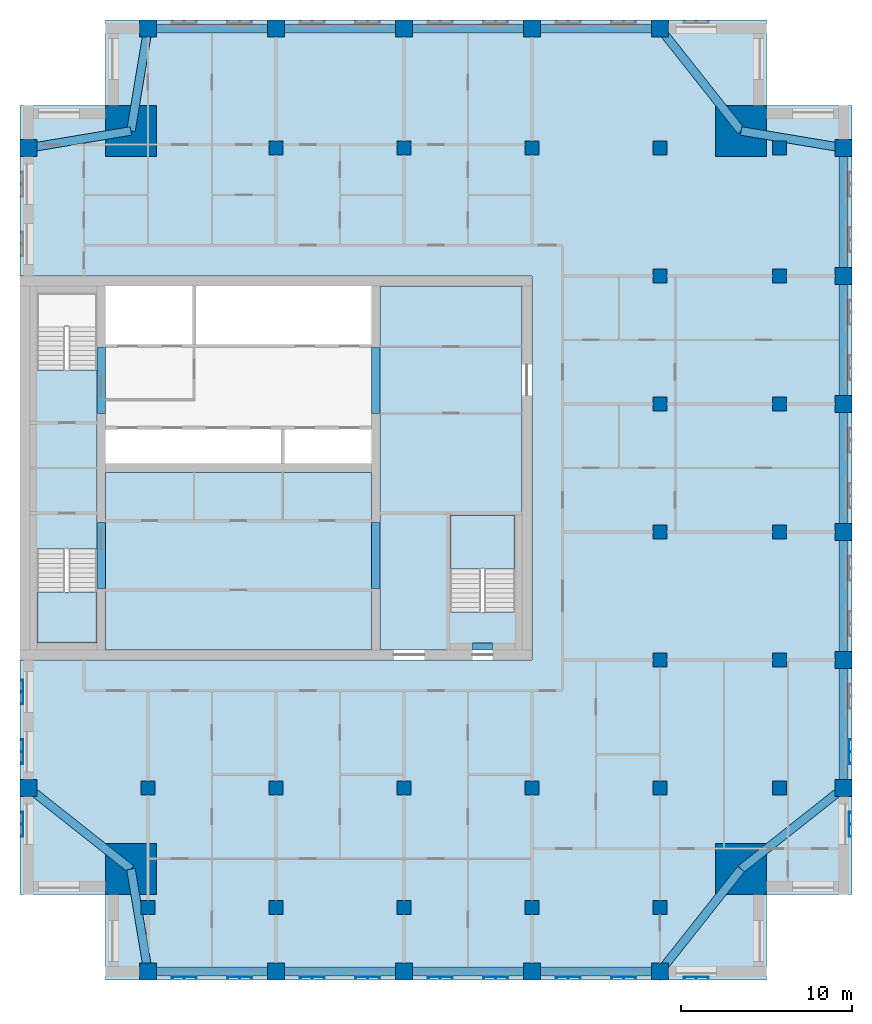
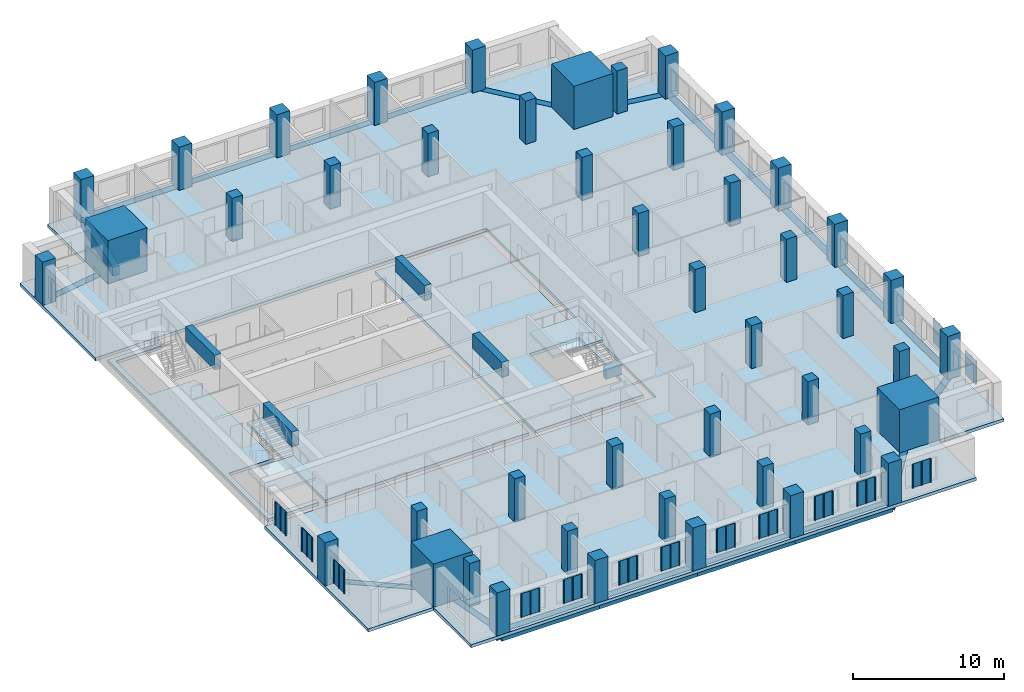
# One storey, part 1 of 11: 46 columns, 26 beams, 14 plates, 6 slabs, 2 elements without a shape of their own.
"""IFC4 building model written with IfcOpenShell, lengths in metres."""

from ifc_helpers import new_model, si_unit, direction, frame, origin, origin_2d, place, context, subcontext, project, spatial, polyline, rectangle, outline, extrude, material, layer, layer_set, material_profile, profile_set, type_object, element, aggregate, save


model = new_model("IFC4")

# Units and contexts
model_context = context("Model", 3, precision=1e-05, world=origin(), true_north=direction((0.0, 1.0)))
body_context = subcontext(model_context, "Body", "Model", "MODEL_VIEW")
ifc_project = project(units=[si_unit("LENGTHUNIT", "METRE"), si_unit("AREAUNIT", "SQUARE_METRE"), si_unit("VOLUMEUNIT", "CUBIC_METRE"), si_unit("PLANEANGLEUNIT", "RADIAN"), si_unit("MASSUNIT", "GRAM", prefix="KILO")], contexts=[model_context])

# Site, building, storey
site_placement = place(None, origin())
site = spatial("IfcSite", under=ifc_project, at=site_placement, CompositionType="ELEMENT")
building_placement = place(site_placement, origin())
building = spatial("IfcBuilding", under=site, at=building_placement, Name="Tamorin Gate", CompositionType="ELEMENT")
storey_placement = place(building_placement, frame((0.0, 0.0, 254.699951171875)))
storey = spatial("IfcBuildingStorey", under=building, at=storey_placement, Name="L64", CompositionType="ELEMENT", Elevation=254.699951171875)

# Columns
ifc_material_1 = material(Name="Concrete C50/60", Category="concrete")
ifc_material_profile_1 = material_profile(ifc_material_1, rectangle(XDim=1.0, YDim=1.0, at=origin_2d()), Name="RC 1000x1000")
ifc_profile_set_1 = profile_set([ifc_material_profile_1], Name="Concrete C50/60")
column_type_1 = type_object("IfcColumnType", Name="RC column 1000x1000 C50/60", PredefinedType="COLUMN", material=ifc_profile_set_1)
for number, where, z_axis, x_axis, name in (
    (1, (37.5, 41.75, 0.0), (0.0, 0.0, 1.0), (1.0, 0.0, 0.0), "Ring column L64"),
    (2, (45.0, 41.75, 0.0), (0.0, 0.0, 1.0), (1.0, 0.0, 0.0), "Ring column L64"),
    (3, (52.5, 41.75, 0.0), (0.0, 0.0, 1.0), (1.0, 0.0, 0.0), "Ring column L64"),
    (4, (60.0, 41.75, 0.0), (0.0, 0.0, 1.0), (1.0, 0.0, 0.0), "Ring column L64"),
    (5, (67.5, 41.75, 0.0), (0.0, 0.0, 1.0), (1.0, 0.0, 0.0), "Ring column L64"),
    (6, (78.25, 52.5, 0.0), (0.0, 0.0, 1.0), (1.0, 0.0, 0.0), "Ring column L64"),
    (7, (78.25, 60.0, 0.0), (0.0, 0.0, 1.0), (1.0, 0.0, 0.0), "Ring column L64"),
    (8, (78.25, 67.5, 0.0), (0.0, 0.0, 1.0), (1.0, 0.0, 0.0), "Ring column L64"),
    (9, (78.25, 75.0, 0.0), (0.0, 0.0, 1.0), (1.0, 0.0, 0.0), "Ring column L64"),
    (10, (78.25, 82.5, 0.0), (0.0, 0.0, 1.0), (1.0, 0.0, 0.0), "Ring column L64"),
    (11, (78.25, 90.0, 0.0), (0.0, 0.0, 1.0), (1.0, 0.0, 0.0), "Ring column L64"),
    (12, (30.5, 52.5, 0.0), (0.0, 0.0, 1.0), (1.0, 0.0, 0.0), "Ring column L64"),
    (13, (30.5, 90.0, 0.0), (0.0, 0.0, 1.0), (1.0, 0.0, 0.0), "Ring column L64"),
    (14, (37.5, 97.0, 0.0), (0.0, 0.0, 1.0), (1.0, 0.0, 0.0), "Ring column L64"),
    (15, (45.0, 97.0, 0.0), (0.0, 0.0, 1.0), (1.0, 0.0, 0.0), "Ring column L64"),
    (16, (52.5, 97.0, 0.0), (0.0, 0.0, 1.0), (1.0, 0.0, 0.0), "Ring column L64"),
    (17, (60.0, 97.0, 0.0), (0.0, 0.0, 1.0), (1.0, 0.0, 0.0), "Ring column L64"),
    (18, (67.5, 97.0, 0.0), (0.0, 0.0, 1.0), (1.0, 0.0, 0.0), "Ring column L64"),
):
    element("IfcColumn", number, at=place(storey_placement, frame(where, z_axis=z_axis, x_axis=x_axis)), inside=storey, type_object=column_type_1, Name=name, PredefinedType="COLUMN", context=body_context, shape_type="SweptSolid", body=[
        extrude(rectangle(XDim=1.0, YDim=1.0, at=origin_2d()), origin(), (0.0, 0.0, 1.0), 3.5),
    ])
ifc_material_profile_2 = material_profile(ifc_material_1, rectangle(XDim=3.0, YDim=3.0, at=origin_2d()), Name="RC 3000x3000")
ifc_profile_set_2 = profile_set([ifc_material_profile_2], Name="Concrete C50/60")
column_type_2 = type_object("IfcColumnType", Name="RC column 3000x3000 C50/60", PredefinedType="COLUMN", material=ifc_profile_set_2)
for number, where, z_axis, x_axis, name in (
    (19, (36.5, 47.75, 0.0), (0.0, 0.0, 1.0), (1.0, 0.0, 0.0), "Mega column SW L64"),
    (20, (72.25, 47.75, 0.0), (0.0, 0.0, 1.0), (1.0, 0.0, 0.0), "Mega column SE L64"),
    (21, (36.5, 91.0, 0.0), (0.0, 0.0, 1.0), (1.0, 0.0, 0.0), "Mega column NW L64"),
    (22, (72.25, 91.0, 0.0), (0.0, 0.0, 1.0), (1.0, 0.0, 0.0), "Mega column NE L64"),
):
    element("IfcColumn", number, at=place(storey_placement, frame(where, z_axis=z_axis, x_axis=x_axis)), inside=storey, type_object=column_type_2, Name=name, PredefinedType="COLUMN", context=body_context, shape_type="SweptSolid", body=[
        extrude(rectangle(XDim=3.0, YDim=3.0, at=origin_2d()), origin(), (0.0, 0.0, 1.0), 3.5),
    ])
ifc_material_profile_3 = material_profile(ifc_material_1, rectangle(XDim=0.800048828125, YDim=0.800048828125, at=origin_2d()), Name="RC 800x800")
ifc_profile_set_3 = profile_set([ifc_material_profile_3], Name="Concrete C50/60")
column_type_3 = type_object("IfcColumnType", Name="RC column 800x800 C50/60", PredefinedType="COLUMN", material=ifc_profile_set_3)
for number, where, z_axis, x_axis, name in (
    (23, (37.5, 45.5, 0.0), (0.0, 0.0, 1.0), (1.0, 0.0, 0.0), "Interior column L64"),
    (24, (37.5, 52.5, 0.0), (0.0, 0.0, 1.0), (1.0, 0.0, 0.0), "Interior column L64"),
    (25, (45.0, 45.5, 0.0), (0.0, 0.0, 1.0), (1.0, 0.0, 0.0), "Interior column L64"),
    (26, (45.0, 52.5, 0.0), (0.0, 0.0, 1.0), (1.0, 0.0, 0.0), "Interior column L64"),
    (27, (45.0, 90.0, 0.0), (0.0, 0.0, 1.0), (1.0, 0.0, 0.0), "Interior column L64"),
    (28, (52.5, 45.5, 0.0), (0.0, 0.0, 1.0), (1.0, 0.0, 0.0), "Interior column L64"),
    (29, (52.5, 52.5, 0.0), (0.0, 0.0, 1.0), (1.0, 0.0, 0.0), "Interior column L64"),
    (30, (52.5, 90.0, 0.0), (0.0, 0.0, 1.0), (1.0, 0.0, 0.0), "Interior column L64"),
    (31, (60.0, 45.5, 0.0), (0.0, 0.0, 1.0), (1.0, 0.0, 0.0), "Interior column L64"),
    (32, (60.0, 52.5, 0.0), (0.0, 0.0, 1.0), (1.0, 0.0, 0.0), "Interior column L64"),
    (33, (60.0, 90.0, 0.0), (0.0, 0.0, 1.0), (1.0, 0.0, 0.0), "Interior column L64"),
    (34, (67.5, 45.5, 0.0), (0.0, 0.0, 1.0), (1.0, 0.0, 0.0), "Interior column L64"),
    (35, (67.5, 52.5, 0.0), (0.0, 0.0, 1.0), (1.0, 0.0, 0.0), "Interior column L64"),
    (36, (67.5, 60.0, 0.0), (0.0, 0.0, 1.0), (1.0, 0.0, 0.0), "Interior column L64"),
    (37, (67.5, 67.5, 0.0), (0.0, 0.0, 1.0), (1.0, 0.0, 0.0), "Interior column L64"),
    (38, (67.5, 75.0, 0.0), (0.0, 0.0, 1.0), (1.0, 0.0, 0.0), "Interior column L64"),
    (39, (67.5, 82.5, 0.0), (0.0, 0.0, 1.0), (1.0, 0.0, 0.0), "Interior column L64"),
    (40, (67.5, 90.0, 0.0), (0.0, 0.0, 1.0), (1.0, 0.0, 0.0), "Interior column L64"),
    (41, (74.5, 52.5, 0.0), (0.0, 0.0, 1.0), (1.0, 0.0, 0.0), "Interior column L64"),
    (42, (74.5, 60.0, 0.0), (0.0, 0.0, 1.0), (1.0, 0.0, 0.0), "Interior column L64"),
    (43, (74.5, 67.5, 0.0), (0.0, 0.0, 1.0), (1.0, 0.0, 0.0), "Interior column L64"),
    (44, (74.5, 75.0, 0.0), (0.0, 0.0, 1.0), (1.0, 0.0, 0.0), "Interior column L64"),
    (45, (74.5, 82.5, 0.0), (0.0, 0.0, 1.0), (1.0, 0.0, 0.0), "Interior column L64"),
    (46, (74.5, 90.0, 0.0), (0.0, 0.0, 1.0), (1.0, 0.0, 0.0), "Interior column L64"),
):
    element("IfcColumn", number, at=place(storey_placement, frame(where, z_axis=z_axis, x_axis=x_axis)), inside=storey, type_object=column_type_3, Name=name, PredefinedType="COLUMN", context=body_context, shape_type="SweptSolid", body=[
        extrude(rectangle(XDim=0.800048828125, YDim=0.800048828125, at=origin_2d()), origin(), (0.0, 0.0, 1.0), 3.5),
    ])

# Beams
ifc_material_profile_4 = material_profile(ifc_material_1, rectangle(XDim=0.5, YDim=1.199951171875, at=origin_2d()), Name="RC 500x1200")
ifc_profile_set_4 = profile_set([ifc_material_profile_4], Name="Concrete C50/60")
beam_type_1 = type_object("IfcBeamType", Name="RC coupling beam 500x1200 C50/60", PredefinedType="BEAM", material=ifc_profile_set_4)
for number, where, z_axis, x_axis, name in (
    (47, (34.75, 64.199951171875, 2.900146484375), (0.0, 1.0, 0.0), (-1.0, 0.0, 0.0), "Coupling beam L64"),
    (48, (34.75, 74.449951171875, 2.900146484375), (0.0, 1.0, 0.0), (-1.0, 0.0, 0.0), "Coupling beam L64"),
    (49, (50.85009765625, 64.199951171875, 2.900146484375), (0.0, 1.0, 0.0), (-1.0, 0.0, 0.0), "Coupling beam L64"),
    (50, (50.85009765625, 74.449951171875, 2.900146484375), (0.0, 1.0, 0.0), (-1.0, 0.0, 0.0), "Coupling beam L64"),
):
    element("IfcBeam", number, at=place(storey_placement, frame(where, z_axis=z_axis, x_axis=x_axis)), inside=storey, type_object=beam_type_1, Name=name, PredefinedType="BEAM", context=body_context, shape_type="SweptSolid", body=[
        extrude(rectangle(XDim=0.5, YDim=1.199951171875, at=origin_2d()), origin(), (0.0, 0.0, 1.0), 3.85009765625),
    ])
ifc_material_profile_5 = material_profile(ifc_material_1, rectangle(XDim=0.5, YDim=0.75, at=origin_2d()), Name="RC 500x750")
ifc_profile_set_5 = profile_set([ifc_material_profile_5], Name="Concrete C50/60")
beam_type_2 = type_object("IfcBeamType", Name="RC spandrel 500x750 C50/60", PredefinedType="BEAM", material=ifc_profile_set_5)
for number, where, z_axis, x_axis, name in (
    (51, (37.5, 41.75, -0.375), (1.0, 0.0, 0.0), (0.0, 1.0, 0.0), "Spandrel beam L64"),
    (52, (45.0, 41.75, -0.375), (1.0, 0.0, 0.0), (0.0, 1.0, 0.0), "Spandrel beam L64"),
    (53, (52.5, 41.75, -0.375), (1.0, 0.0, 0.0), (0.0, 1.0, 0.0), "Spandrel beam L64"),
    (54, (60.0, 41.75, -0.375), (1.0, 0.0, 0.0), (0.0, 1.0, 0.0), "Spandrel beam L64"),
    (55, (78.25, 52.5, -0.375), (0.0, 1.0, 0.0), (-1.0, 0.0, 0.0), "Spandrel beam L64"),
    (56, (78.25, 60.0, -0.375), (0.0, 1.0, 0.0), (-1.0, 0.0, 0.0), "Spandrel beam L64"),
    (57, (78.25, 67.5, -0.375), (0.0, 1.0, 0.0), (-1.0, 0.0, 0.0), "Spandrel beam L64"),
    (58, (78.25, 75.0, -0.375), (0.0, 1.0, 0.0), (-1.0, 0.0, 0.0), "Spandrel beam L64"),
    (59, (78.25, 82.5, -0.375), (0.0, 1.0, 0.0), (-1.0, 0.0, 0.0), "Spandrel beam L64"),
    (60, (67.5, 97.0, -0.375), (-1.0, 0.0, 0.0), (0.0, -1.0, 0.0), "Spandrel beam L64"),
    (61, (60.0, 97.0, -0.375), (-1.0, 0.0, 0.0), (0.0, -1.0, 0.0), "Spandrel beam L64"),
    (62, (52.5, 97.0, -0.375), (-1.0, 0.0, 0.0), (0.0, -1.0, 0.0), "Spandrel beam L64"),
    (63, (45.0, 97.0, -0.375), (-1.0, 0.0, 0.0), (0.0, -1.0, 0.0), "Spandrel beam L64"),
):
    element("IfcBeam", number, at=place(storey_placement, frame(where, z_axis=z_axis, x_axis=x_axis)), inside=storey, type_object=beam_type_2, Name=name, PredefinedType="BEAM", context=body_context, shape_type="SweptSolid", body=[
        extrude(rectangle(XDim=0.5, YDim=0.75, at=origin_2d()), origin(), (0.0, 0.0, 1.0), 7.5),
    ])
beam_1_placement = place(storey_placement, frame((36.5, 47.75, -0.375), z_axis=(0.164398987305, -0.986393923832, 0.0), x_axis=(0.986393923832, 0.164398987305, 0.0)))
element("IfcBeam", 64, at=beam_1_placement, inside=storey, type_object=beam_type_2, Name="Corner tie beam L64", PredefinedType="BEAM", context=body_context, shape_type="SweptSolid", body=[
    extrude(rectangle(XDim=0.5, YDim=0.75, at=origin_2d()), origin(), (0.0, 0.0, 1.0), 6.082763671875),
])
for number, where, z_axis, x_axis, name in (
    (65, (36.5, 47.75, -0.375), (-0.784045824462, 0.620702944366, 0.0), (-0.620702944366, -0.784045824462, 0.0), "Corner tie beam L64"),
    (66, (72.25, 47.75, -0.375), (-0.620702944366, -0.784045824462, 0.0), (0.784045824462, -0.620702944366, 0.0), "Corner tie beam L64"),
    (67, (72.25, 47.75, -0.375), (0.784045824462, 0.620702944366, 0.0), (-0.620702944366, 0.784045824462, 0.0), "Corner tie beam L64"),
):
    element("IfcBeam", number, at=place(storey_placement, frame(where, z_axis=z_axis, x_axis=x_axis)), inside=storey, type_object=beam_type_2, Name=name, PredefinedType="BEAM", context=body_context, shape_type="SweptSolid", body=[
        extrude(rectangle(XDim=0.5, YDim=0.75, at=origin_2d()), origin(), (0.0, 0.0, 1.0), 7.652587890625),
    ])
for number, where, z_axis, x_axis, name in (
    (68, (36.5, 91.0, -0.375), (-0.986393923832, -0.164398987305, 0.0), (0.164398987305, -0.986393923832, 0.0), "Corner tie beam L64"),
    (69, (36.5, 91.0, -0.375), (0.164398987305, 0.986393923832, 0.0), (-0.986393923832, 0.164398987305, 0.0), "Corner tie beam L64"),
    (70, (72.25, 91.0, -0.375), (0.986393923832, -0.164398987305, 0.0), (0.164398987305, 0.986393923832, 0.0), "Corner tie beam L64"),
):
    element("IfcBeam", number, at=place(storey_placement, frame(where, z_axis=z_axis, x_axis=x_axis)), inside=storey, type_object=beam_type_2, Name=name, PredefinedType="BEAM", context=body_context, shape_type="SweptSolid", body=[
        extrude(rectangle(XDim=0.5, YDim=0.75, at=origin_2d()), origin(), (0.0, 0.0, 1.0), 6.082763671875),
    ])
beam_2_placement = place(storey_placement, frame((72.25, 91.0, -0.375), z_axis=(-0.620702944366, 0.784045824462, 0.0), x_axis=(-0.784045824462, -0.620702944366, 0.0)))
element("IfcBeam", 71, at=beam_2_placement, inside=storey, type_object=beam_type_2, Name="Corner tie beam L64", PredefinedType="BEAM", context=body_context, shape_type="SweptSolid", body=[
    extrude(rectangle(XDim=0.5, YDim=0.75, at=origin_2d()), origin(), (0.0, 0.0, 1.0), 7.652587890625),
])
ifc_material_profile_6 = material_profile(ifc_material_1, rectangle(XDim=0.39990234375, YDim=0.85009765625, at=origin_2d()))
ifc_profile_set_6 = profile_set([ifc_material_profile_6], Name="Concrete C50/60")
beam_type_3 = type_object("IfcBeamType", Name="Stair lintel 400x850 C50/60", PredefinedType="BEAM", material=ifc_profile_set_6)
beam_3_placement = place(storey_placement, frame((56.5, 60.800048828125, 2.6650390625), z_axis=(1.0, 0.0, 0.0), x_axis=(0.0, 1.0, 0.0)))
element("IfcBeam", 72, at=beam_3_placement, inside=storey, type_object=beam_type_3, Name="Stair lintel", PredefinedType="BEAM", context=body_context, shape_type="SweptSolid", body=[
    extrude(rectangle(XDim=0.39990234375, YDim=0.85009765625, at=origin_2d()), origin(), (0.0, 0.0, 1.0), 1.199951171875),
])

# Slabs
ifc_material_2 = material(Name="Concrete C40/50", Category="concrete")
ifc_layer_1 = layer(ifc_material_2, 0.25)
ifc_layer_set_1 = layer_set([ifc_layer_1], Name="Core floor slab 250 C40/50")
slab_type_1 = type_object("IfcSlabType", Name="Core floor slab 250 C40/50", PredefinedType="FLOOR", material=ifc_layer_set_1)
slab_1_placement = place(storey_placement, frame((0.0, 0.0, -0.25)))
element("IfcSlab", 73, at=slab_1_placement, inside=storey, type_object=slab_type_1, Name="Core floor L64", PredefinedType="FLOOR", context=body_context, shape_type="SweptSolid", body=[
    extrude(outline(polyline([(51.10009765625, 81.89990234375), (59.39990234375, 81.89990234375), (59.39990234375, 60.60009765625), (51.10009765625, 60.60009765625), (51.10009765625, 81.89990234375)]), holes=[polyline([(55.199951171875, 62.800048828125), (59.0, 62.800048828125), (59.0, 68.5), (55.199951171875, 68.5), (55.199951171875, 62.800048828125)])]), origin(), (0.0, 0.0, 1.0), 0.25),
])
slab_2_placement = place(storey_placement, frame((0.0, 0.0, -0.25)))
element("IfcSlab", 74, at=slab_2_placement, inside=storey, type_object=slab_type_1, Name="Core floor L64", PredefinedType="FLOOR", context=body_context, shape_type="SweptSolid", body=[
    extrude(outline(polyline([(50.60009765625, 71.0), (50.60009765625, 60.60009765625), (35.0, 60.60009765625), (35.0, 71.0), (50.60009765625, 71.0)])), origin(), (0.0, 0.0, 1.0), 0.25),
])
slab_3_placement = place(storey_placement, frame((0.0, 0.0, -0.25)))
element("IfcSlab", 75, at=slab_3_placement, inside=storey, type_object=slab_type_1, Name="Core floor L64", PredefinedType="FLOOR", context=body_context, shape_type="SweptSolid", body=[
    extrude(outline(polyline([(34.5, 60.60009765625), (30.60009765625, 60.60009765625), (30.60009765625, 81.89990234375), (34.5, 81.89990234375), (34.5, 81.5), (31.0, 81.5), (31.0, 77.0), (34.5, 77.0), (34.5, 66.5), (31.0, 66.5), (31.0, 61.0), (34.5, 61.0), (34.5, 60.60009765625)])), origin(), (0.0, 0.0, 1.0), 0.25),
])

# Stair, slab
stair_type = type_object("IfcStairType", Name="Exit stair", PredefinedType="HALF_TURN_STAIR", material=ifc_material_2)
stair_1_placement = place(storey_placement, origin())
stair_1 = element("IfcStair", 76, at=stair_1_placement, inside=storey, type_object=stair_type, Name="L64 stair ST1", PredefinedType="HALF_TURN_STAIR")
ifc_layer_2 = layer(ifc_material_2, 0.199951171875)
ifc_layer_set_2 = layer_set([ifc_layer_2], Name="Exit stair landing 200")
slab_type_2 = type_object("IfcSlabType", Name="Exit stair landing 200", PredefinedType="LANDING", material=ifc_layer_set_2)
slab_4_placement = place(storey_placement, frame((0.0, 0.0, 1.550048828125)))
slab_4 = element("IfcSlab", 77, at=slab_4_placement, type_object=slab_type_2, Name="ST1 landing 1", PredefinedType="LANDING", context=body_context, shape_type="SweptSolid", body=[
    extrude(outline(polyline([(31.0, 63.97998046875), (31.0, 61.0), (34.5, 61.0), (34.5, 63.97998046875), (31.0, 63.97998046875)])), origin(), (0.0, 0.0, 1.0), 0.199951171875),
])
aggregate(stair_1, [slab_4])

stair_2_placement = place(storey_placement, origin())
stair_2 = element("IfcStair", 78, at=stair_2_placement, inside=storey, type_object=stair_type, Name="L64 stair ST3", PredefinedType="HALF_TURN_STAIR")
slab_5_placement = place(storey_placement, frame((0.0, 0.0, 1.550048828125)))
slab_5 = element("IfcSlab", 79, at=slab_5_placement, type_object=slab_type_2, Name="ST3 landing 1", PredefinedType="LANDING", context=body_context, shape_type="SweptSolid", body=[
    extrude(outline(polyline([(59.0, 65.320068359375), (59.0, 68.5), (55.199951171875, 68.5), (55.199951171875, 65.320068359375), (59.0, 65.320068359375)])), origin(), (0.0, 0.0, 1.0), 0.199951171875),
])
aggregate(stair_2, [slab_5])

# Slab
ifc_layer_3 = layer(ifc_material_2, 0.25)
ifc_layer_set_3 = layer_set([ifc_layer_3], Name="Floor slab 250 C40/50")
slab_type_3 = type_object("IfcSlabType", Name="Floor slab 250 C40/50", PredefinedType="FLOOR", material=ifc_layer_set_3)
slab_6_placement = place(storey_placement, frame((0.0, 0.0, -0.25)))
element("IfcSlab", 80, at=slab_6_placement, inside=storey, type_object=slab_type_3, Name="Floor L64", PredefinedType="FLOOR", context=body_context, shape_type="SweptSolid", body=[
    extrude(outline(polyline([(30.0, 92.5), (35.0, 92.5), (35.0, 97.5), (73.75, 97.5), (73.75, 92.5), (78.75, 92.5), (78.75, 46.25), (73.75, 46.25), (73.75, 41.25), (35.0, 41.25), (35.0, 46.25), (30.0, 46.25), (30.0, 60.0), (60.0, 60.0), (60.0, 82.5), (30.0, 82.5), (30.0, 92.5)])), origin(), (0.0, 0.0, 1.0), 0.25),
])

# Plates
ifc_material_3 = material(Name="Perforated pale aluminium sheet", Category="aluminium")
ifc_layer_4 = layer(ifc_material_3, 0.0400390625)
ifc_layer_set_4 = layer_set([ifc_layer_4], Name="Pale metal solar screen 1440")
plate_type = type_object("IfcPlateType", Name="Pale metal solar screen 1440", PredefinedType="SHEET", material=ifc_layer_set_4)
plate_1_placement = place(storey_placement, frame((0.0, 0.0, 0.737548828125)))
element("IfcPlate", 81, at=plate_1_placement, inside=storey, type_object=plate_type, Name="Perforated solar screen", PredefinedType="SHEET", context=body_context, shape_type="SweptSolid", body=[
    extrude(outline(polyline([(38.905029296875, 41.409912109375), (38.905029296875, 41.449951171875), (38.965087890625, 41.449951171875), (39.594970703125, 41.449951171875), (39.655029296875, 41.449951171875), (40.284912109375, 41.449951171875), (40.344970703125, 41.449951171875), (40.344970703125, 41.449951171875), (40.344970703125, 41.409912109375), (40.344970703125, 41.409912109375), (40.344970703125, 41.35009765625), (40.284912109375, 41.35009765625), (40.284912109375, 41.409912109375), (39.655029296875, 41.409912109375), (39.655029296875, 41.35009765625), (39.594970703125, 41.35009765625), (39.594970703125, 41.409912109375), (38.965087890625, 41.409912109375), (38.965087890625, 41.35009765625), (38.905029296875, 41.35009765625), (38.905029296875, 41.409912109375)])), origin(), (0.0, 0.0, 1.0), 1.925048828125),
])
plate_2_placement = place(storey_placement, frame((0.0, 0.0, 0.737548828125)))
element("IfcPlate", 82, at=plate_2_placement, inside=storey, type_object=plate_type, Name="Perforated solar screen", PredefinedType="SHEET", context=body_context, shape_type="SweptSolid", body=[
    extrude(outline(polyline([(42.155029296875, 41.409912109375), (42.155029296875, 41.449951171875), (42.215087890625, 41.449951171875), (42.844970703125, 41.449951171875), (42.905029296875, 41.449951171875), (43.534912109375, 41.449951171875), (43.594970703125, 41.449951171875), (43.594970703125, 41.409912109375), (43.594970703125, 41.35009765625), (43.534912109375, 41.35009765625), (43.534912109375, 41.409912109375), (42.905029296875, 41.409912109375), (42.905029296875, 41.35009765625), (42.844970703125, 41.35009765625), (42.844970703125, 41.409912109375), (42.215087890625, 41.409912109375), (42.215087890625, 41.35009765625), (42.155029296875, 41.35009765625), (42.155029296875, 41.409912109375)])), origin(), (0.0, 0.0, 1.0), 1.925048828125),
])
plate_3_placement = place(storey_placement, frame((0.0, 0.0, 0.737548828125)))
element("IfcPlate", 83, at=plate_3_placement, inside=storey, type_object=plate_type, Name="Perforated solar screen", PredefinedType="SHEET", context=body_context, shape_type="SweptSolid", body=[
    extrude(outline(polyline([(46.405029296875, 41.409912109375), (46.405029296875, 41.449951171875), (46.465087890625, 41.449951171875), (47.094970703125, 41.449951171875), (47.155029296875, 41.449951171875), (47.784912109375, 41.449951171875), (47.844970703125, 41.449951171875), (47.844970703125, 41.409912109375), (47.844970703125, 41.35009765625), (47.784912109375, 41.35009765625), (47.784912109375, 41.409912109375), (47.155029296875, 41.409912109375), (47.155029296875, 41.35009765625), (47.094970703125, 41.35009765625), (47.094970703125, 41.409912109375), (46.465087890625, 41.409912109375), (46.465087890625, 41.35009765625), (46.405029296875, 41.35009765625), (46.405029296875, 41.409912109375)])), origin(), (0.0, 0.0, 1.0), 1.925048828125),
])
plate_4_placement = place(storey_placement, frame((0.0, 0.0, 0.737548828125)))
element("IfcPlate", 84, at=plate_4_placement, inside=storey, type_object=plate_type, Name="Perforated solar screen", PredefinedType="SHEET", context=body_context, shape_type="SweptSolid", body=[
    extrude(outline(polyline([(49.655029296875, 41.409912109375), (49.655029296875, 41.449951171875), (49.715087890625, 41.449951171875), (50.344970703125, 41.449951171875), (50.405029296875, 41.449951171875), (51.034912109375, 41.449951171875), (51.094970703125, 41.449951171875), (51.094970703125, 41.409912109375), (51.094970703125, 41.35009765625), (51.034912109375, 41.35009765625), (51.034912109375, 41.409912109375), (50.405029296875, 41.409912109375), (50.405029296875, 41.35009765625), (50.344970703125, 41.35009765625), (50.344970703125, 41.409912109375), (49.715087890625, 41.409912109375), (49.715087890625, 41.35009765625), (49.655029296875, 41.35009765625), (49.655029296875, 41.409912109375)])), origin(), (0.0, 0.0, 1.0), 1.925048828125),
])
plate_5_placement = place(storey_placement, frame((0.0, 0.0, 0.737548828125)))
element("IfcPlate", 85, at=plate_5_placement, inside=storey, type_object=plate_type, Name="Perforated solar screen", PredefinedType="SHEET", context=body_context, shape_type="SweptSolid", body=[
    extrude(outline(polyline([(53.905029296875, 41.409912109375), (53.905029296875, 41.449951171875), (53.965087890625, 41.449951171875), (54.594970703125, 41.449951171875), (54.655029296875, 41.449951171875), (55.284912109375, 41.449951171875), (55.344970703125, 41.449951171875), (55.344970703125, 41.409912109375), (55.344970703125, 41.35009765625), (55.284912109375, 41.35009765625), (55.284912109375, 41.409912109375), (54.655029296875, 41.409912109375), (54.655029296875, 41.35009765625), (54.594970703125, 41.35009765625), (54.594970703125, 41.409912109375), (53.965087890625, 41.409912109375), (53.965087890625, 41.35009765625), (53.905029296875, 41.35009765625), (53.905029296875, 41.409912109375)])), origin(), (0.0, 0.0, 1.0), 1.925048828125),
])
plate_6_placement = place(storey_placement, frame((0.0, 0.0, 0.737548828125)))
element("IfcPlate", 86, at=plate_6_placement, inside=storey, type_object=plate_type, Name="Perforated solar screen", PredefinedType="SHEET", context=body_context, shape_type="SweptSolid", body=[
    extrude(outline(polyline([(57.155029296875, 41.409912109375), (57.155029296875, 41.449951171875), (57.215087890625, 41.449951171875), (57.844970703125, 41.449951171875), (57.905029296875, 41.449951171875), (58.534912109375, 41.449951171875), (58.594970703125, 41.449951171875), (58.594970703125, 41.409912109375), (58.594970703125, 41.35009765625), (58.534912109375, 41.35009765625), (58.534912109375, 41.409912109375), (57.905029296875, 41.409912109375), (57.905029296875, 41.35009765625), (57.844970703125, 41.35009765625), (57.844970703125, 41.409912109375), (57.215087890625, 41.409912109375), (57.215087890625, 41.35009765625), (57.155029296875, 41.35009765625), (57.155029296875, 41.409912109375)])), origin(), (0.0, 0.0, 1.0), 1.925048828125),
])
plate_7_placement = place(storey_placement, frame((0.0, 0.0, 0.737548828125)))
element("IfcPlate", 87, at=plate_7_placement, inside=storey, type_object=plate_type, Name="Perforated solar screen", PredefinedType="SHEET", context=body_context, shape_type="SweptSolid", body=[
    extrude(outline(polyline([(61.405029296875, 41.409912109375), (61.405029296875, 41.449951171875), (61.465087890625, 41.449951171875), (62.094970703125, 41.449951171875), (62.155029296875, 41.449951171875), (62.784912109375, 41.449951171875), (62.844970703125, 41.449951171875), (62.844970703125, 41.409912109375), (62.844970703125, 41.35009765625), (62.784912109375, 41.35009765625), (62.784912109375, 41.409912109375), (62.155029296875, 41.409912109375), (62.155029296875, 41.35009765625), (62.094970703125, 41.35009765625), (62.094970703125, 41.409912109375), (61.465087890625, 41.409912109375), (61.465087890625, 41.35009765625), (61.405029296875, 41.35009765625), (61.405029296875, 41.409912109375)])), origin(), (0.0, 0.0, 1.0), 1.925048828125),
])
plate_8_placement = place(storey_placement, frame((0.0, 0.0, 0.737548828125)))
element("IfcPlate", 88, at=plate_8_placement, inside=storey, type_object=plate_type, Name="Perforated solar screen", PredefinedType="SHEET", context=body_context, shape_type="SweptSolid", body=[
    extrude(outline(polyline([(64.655029296875, 41.409912109375), (64.655029296875, 41.449951171875), (64.715087890625, 41.449951171875), (65.344970703125, 41.449951171875), (65.405029296875, 41.449951171875), (66.034912109375, 41.449951171875), (66.094970703125, 41.449951171875), (66.094970703125, 41.409912109375), (66.094970703125, 41.35009765625), (66.034912109375, 41.35009765625), (66.034912109375, 41.409912109375), (65.405029296875, 41.409912109375), (65.405029296875, 41.35009765625), (65.344970703125, 41.35009765625), (65.344970703125, 41.409912109375), (64.715087890625, 41.409912109375), (64.715087890625, 41.35009765625), (64.655029296875, 41.35009765625), (64.655029296875, 41.409912109375)])), origin(), (0.0, 0.0, 1.0), 1.925048828125),
])
plate_9_placement = place(storey_placement, frame((0.0, 0.0, 0.737548828125)))
element("IfcPlate", 89, at=plate_9_placement, inside=storey, type_object=plate_type, Name="Perforated solar screen", PredefinedType="SHEET", context=body_context, shape_type="SweptSolid", body=[
    extrude(outline(polyline([(68.905029296875, 41.409912109375), (68.905029296875, 41.449951171875), (68.965087890625, 41.449951171875), (69.594970703125, 41.449951171875), (69.655029296875, 41.449951171875), (70.284912109375, 41.449951171875), (70.344970703125, 41.449951171875), (70.344970703125, 41.409912109375), (70.344970703125, 41.35009765625), (70.284912109375, 41.35009765625), (70.284912109375, 41.409912109375), (69.655029296875, 41.409912109375), (69.655029296875, 41.35009765625), (69.594970703125, 41.35009765625), (69.594970703125, 41.409912109375), (68.965087890625, 41.409912109375), (68.965087890625, 41.35009765625), (68.905029296875, 41.35009765625), (68.905029296875, 41.409912109375)])), origin(), (0.0, 0.0, 1.0), 1.925048828125),
])
plate_10_placement = place(storey_placement, frame((0.0, 0.0, 0.737548828125)))
element("IfcPlate", 90, at=plate_10_placement, inside=storey, type_object=plate_type, Name="Perforated solar screen", PredefinedType="SHEET", context=body_context, shape_type="SweptSolid", body=[
    extrude(outline(polyline([(78.590087890625, 49.655029296875), (78.550048828125, 49.655029296875), (78.550048828125, 49.715087890625), (78.550048828125, 50.344970703125), (78.550048828125, 50.405029296875), (78.550048828125, 51.034912109375), (78.550048828125, 51.094970703125), (78.550048828125, 51.094970703125), (78.590087890625, 51.094970703125), (78.590087890625, 51.094970703125), (78.64990234375, 51.094970703125), (78.64990234375, 51.034912109375), (78.590087890625, 51.034912109375), (78.590087890625, 50.405029296875), (78.64990234375, 50.405029296875), (78.64990234375, 50.344970703125), (78.590087890625, 50.344970703125), (78.590087890625, 49.715087890625), (78.64990234375, 49.715087890625), (78.64990234375, 49.655029296875), (78.590087890625, 49.655029296875)])), origin(), (0.0, 0.0, 1.0), 1.925048828125),
])
plate_11_placement = place(storey_placement, frame((0.0, 0.0, 0.737548828125)))
element("IfcPlate", 91, at=plate_11_placement, inside=storey, type_object=plate_type, Name="Perforated solar screen", PredefinedType="SHEET", context=body_context, shape_type="SweptSolid", body=[
    extrude(outline(polyline([(78.590087890625, 53.905029296875), (78.550048828125, 53.905029296875), (78.550048828125, 53.965087890625), (78.550048828125, 54.594970703125), (78.550048828125, 54.655029296875), (78.550048828125, 55.284912109375), (78.550048828125, 55.344970703125), (78.590087890625, 55.344970703125), (78.64990234375, 55.344970703125), (78.64990234375, 55.284912109375), (78.590087890625, 55.284912109375), (78.590087890625, 54.655029296875), (78.64990234375, 54.655029296875), (78.64990234375, 54.594970703125), (78.590087890625, 54.594970703125), (78.590087890625, 53.965087890625), (78.64990234375, 53.965087890625), (78.64990234375, 53.905029296875), (78.590087890625, 53.905029296875)])), origin(), (0.0, 0.0, 1.0), 1.925048828125),
])
plate_12_placement = place(storey_placement, frame((0.0, 0.0, 0.737548828125)))
element("IfcPlate", 92, at=plate_12_placement, inside=storey, type_object=plate_type, Name="Perforated solar screen", PredefinedType="SHEET", context=body_context, shape_type="SweptSolid", body=[
    extrude(outline(polyline([(30.159912109375, 55.344970703125), (30.199951171875, 55.344970703125), (30.199951171875, 55.284912109375), (30.199951171875, 54.655029296875), (30.199951171875, 54.594970703125), (30.199951171875, 53.965087890625), (30.199951171875, 53.905029296875), (30.159912109375, 53.905029296875), (30.10009765625, 53.905029296875), (30.10009765625, 53.965087890625), (30.159912109375, 53.965087890625), (30.159912109375, 54.594970703125), (30.10009765625, 54.594970703125), (30.10009765625, 54.655029296875), (30.159912109375, 54.655029296875), (30.159912109375, 55.284912109375), (30.10009765625, 55.284912109375), (30.10009765625, 55.344970703125), (30.159912109375, 55.344970703125)])), origin(), (0.0, 0.0, 1.0), 1.925048828125),
])
plate_13_placement = place(storey_placement, frame((0.0, 0.0, 0.737548828125)))
element("IfcPlate", 93, at=plate_13_placement, inside=storey, type_object=plate_type, Name="Perforated solar screen", PredefinedType="SHEET", context=body_context, shape_type="SweptSolid", body=[
    extrude(outline(polyline([(30.159912109375, 58.844970703125), (30.199951171875, 58.844970703125), (30.199951171875, 58.784912109375), (30.199951171875, 58.155029296875), (30.199951171875, 58.094970703125), (30.199951171875, 57.465087890625), (30.199951171875, 57.405029296875), (30.159912109375, 57.405029296875), (30.10009765625, 57.405029296875), (30.10009765625, 57.465087890625), (30.159912109375, 57.465087890625), (30.159912109375, 58.094970703125), (30.10009765625, 58.094970703125), (30.10009765625, 58.155029296875), (30.159912109375, 58.155029296875), (30.159912109375, 58.784912109375), (30.10009765625, 58.784912109375), (30.10009765625, 58.844970703125), (30.159912109375, 58.844970703125)])), origin(), (0.0, 0.0, 1.0), 1.925048828125),
])
plate_14_placement = place(storey_placement, frame((0.0, 0.0, 0.737548828125)))
element("IfcPlate", 94, at=plate_14_placement, inside=storey, type_object=plate_type, Name="Perforated solar screen", PredefinedType="SHEET", context=body_context, shape_type="SweptSolid", body=[
    extrude(outline(polyline([(30.159912109375, 51.094970703125), (30.199951171875, 51.094970703125), (30.199951171875, 51.034912109375), (30.199951171875, 50.405029296875), (30.199951171875, 50.344970703125), (30.199951171875, 49.715087890625), (30.199951171875, 49.655029296875), (30.159912109375, 49.655029296875), (30.10009765625, 49.655029296875), (30.10009765625, 49.715087890625), (30.159912109375, 49.715087890625), (30.159912109375, 50.344970703125), (30.10009765625, 50.344970703125), (30.10009765625, 50.405029296875), (30.159912109375, 50.405029296875), (30.159912109375, 51.034912109375), (30.10009765625, 51.034912109375), (30.10009765625, 51.094970703125), (30.159912109375, 51.094970703125)])), origin(), (0.0, 0.0, 1.0), 1.925048828125),
])

save(model, "model.ifc")
